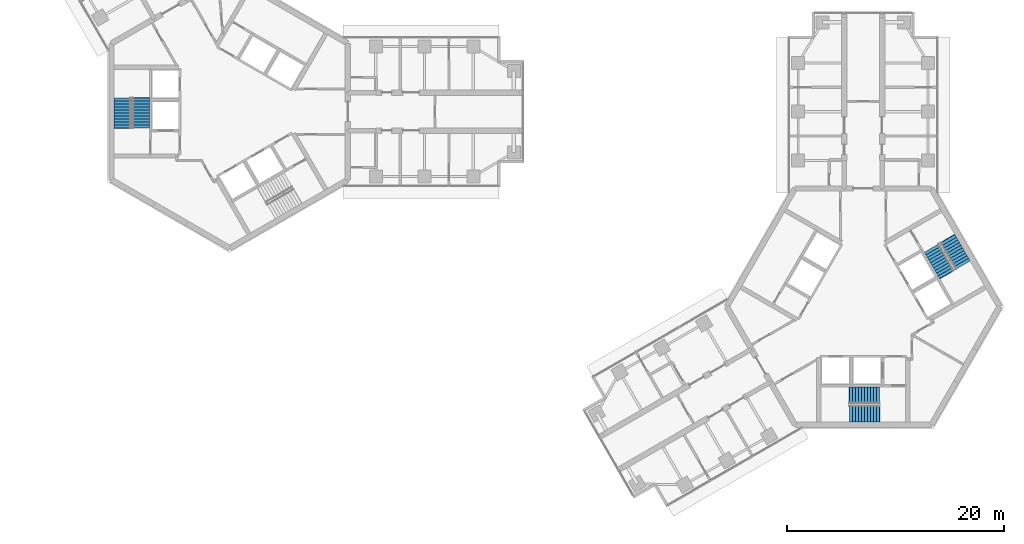
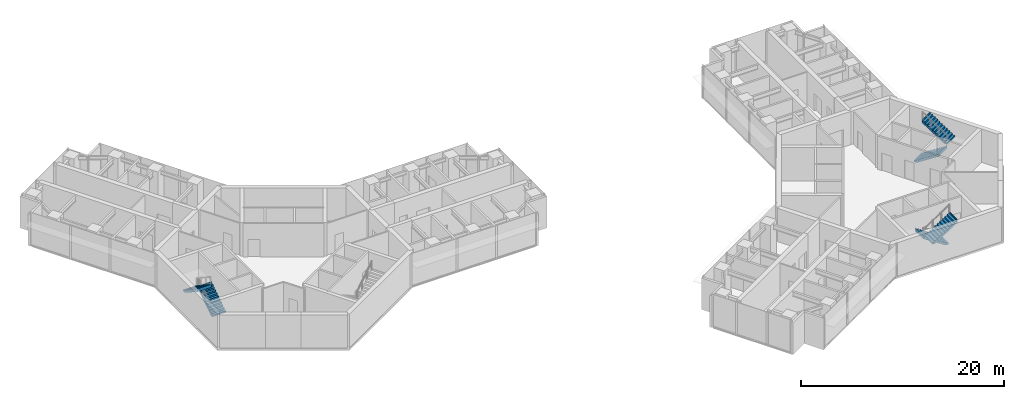
# One storey, part 16 of 17: 6 stair flights, 3 elements without a shape of their own.
"""IFC4 building model written with IfcOpenShell, lengths in metres."""

from ifc_helpers import new_model, si_unit, direction, frame, origin, place, context, subcontext, project, spatial, polyline, outline, extrude, material, type_object, element, aggregate, save


model = new_model("IFC4")

# Units and contexts
model_context = context("Model", 3, precision=1e-05, world=origin(), true_north=direction((0.0, 1.0)))
body_context = subcontext(model_context, "Body", "Model", "MODEL_VIEW")
ifc_project = project(units=[si_unit("LENGTHUNIT", "METRE"), si_unit("AREAUNIT", "SQUARE_METRE"), si_unit("VOLUMEUNIT", "CUBIC_METRE"), si_unit("PLANEANGLEUNIT", "RADIAN"), si_unit("MASSUNIT", "GRAM", prefix="KILO")], contexts=[model_context])

# Site, building, storey
site_placement = place(None, origin())
site = spatial("IfcSite", under=ifc_project, at=site_placement, CompositionType="ELEMENT")
building_placement = place(site_placement, origin())
building = spatial("IfcBuilding", under=site, at=building_placement, Name="Upepo Twin Towers", CompositionType="ELEMENT")
storey_placement = place(building_placement, frame((0.0, 0.0, 186.5)))
storey = spatial("IfcBuildingStorey", under=building, at=storey_placement, Name="L45", CompositionType="ELEMENT", Elevation=186.5)

# Stair, stair flights
ifc_material_1 = material(Name="Concrete C40/50", Category="concrete")
stair_type = type_object("IfcStairType", Name="Core stair, two flights", PredefinedType="HALF_TURN_STAIR", material=ifc_material_1)
stair_1_placement = place(storey_placement, origin())
stair_1 = element("IfcStair", 1, at=stair_1_placement, inside=storey, type_object=stair_type, Name="T1 stair S1 L45", PredefinedType="HALF_TURN_STAIR")
ifc_material_2 = material(Name="Concrete C40/50", Category="concrete")
stair_flight_type = type_object("IfcStairFlightType", Name="Stair flight 1550 RC", PredefinedType="STRAIGHT", material=ifc_material_2)
stair_flight_1_placement = place(storey_placement, frame((-8.175048828125, -1.52001953125, 0.0), z_axis=(0.0, 0.0, 1.0), x_axis=(0.0, 1.0, 0.0)))
stair_flight_1 = element("IfcStairFlight", 2, at=stair_flight_1_placement, type_object=stair_flight_type, Name="Stair S1 flight 1", NumberOfRisers=11, NumberOfTreads=10, PredefinedType="STRAIGHT", RiserHeight=0.181818182, TreadLength=0.28, context=body_context, shape_type="SweptSolid", body=[
    extrude(outline(polyline([(0.0, 0.0), (0.0, 0.181884765625), (0.280029296875, 0.181884765625), (0.280029296875, 0.363525390625), (0.56005859375, 0.363525390625), (0.56005859375, 0.54541015625), (0.840087890625, 0.54541015625), (0.840087890625, 0.727294921875), (1.1201171875, 0.727294921875), (1.1201171875, 0.9091796875), (1.39990234375, 0.9091796875), (1.39990234375, 1.0908203125), (1.679931640625, 1.0908203125), (1.679931640625, 1.272705078125), (1.9599609375, 1.272705078125), (1.9599609375, 1.45458984375), (2.239990234375, 1.45458984375), (2.239990234375, 1.636474609375), (2.52001953125, 1.636474609375), (2.52001953125, 1.818115234375), (2.800048828125, 1.818115234375), (2.800048828125, 2.0), (2.85009765625, 2.0), (2.85009765625, 1.639404296875), (0.3251953125, 0.0), (0.0, 0.0)])), frame((0.0, 0.77490234375, 0.0), z_axis=(0.0, -1.0, 0.0), x_axis=(1.0, 0.0, 0.0)), (0.0, 0.0, 1.0), 1.550048828125),
])
stair_flight_2_placement = place(storey_placement, frame((-9.88330078125, 1.280029296875, 2.0), z_axis=(0.0, 0.0, 1.0), x_axis=(0.0, -1.0, 0.0)))
stair_flight_2 = element("IfcStairFlight", 3, at=stair_flight_2_placement, type_object=stair_flight_type, Name="Stair S1 flight 2", NumberOfRisers=11, NumberOfTreads=10, PredefinedType="STRAIGHT", RiserHeight=0.181818182, TreadLength=0.28, context=body_context, shape_type="SweptSolid", body=[
    extrude(outline(polyline([(0.0, 0.0), (0.0, 0.181884765625), (0.280029296875, 0.181884765625), (0.280029296875, 0.363525390625), (0.56005859375, 0.363525390625), (0.56005859375, 0.54541015625), (0.840087890625, 0.54541015625), (0.840087890625, 0.727294921875), (1.1201171875, 0.727294921875), (1.1201171875, 0.9091796875), (1.39990234375, 0.9091796875), (1.39990234375, 1.0908203125), (1.679931640625, 1.0908203125), (1.679931640625, 1.272705078125), (1.9599609375, 1.272705078125), (1.9599609375, 1.45458984375), (2.239990234375, 1.45458984375), (2.239990234375, 1.636474609375), (2.52001953125, 1.636474609375), (2.52001953125, 1.818115234375), (2.800048828125, 1.818115234375), (2.800048828125, 2.0), (2.85009765625, 2.0), (2.85009765625, 1.639404296875), (0.3251953125, 0.0), (0.0, 0.0)])), frame((0.0, 0.77490234375, 0.0), z_axis=(0.0, -1.0, 0.0), x_axis=(1.0, 0.0, 0.0)), (0.0, 0.0, 1.0), 1.550048828125),
])
aggregate(stair_1, [stair_flight_1, stair_flight_2])

stair_2_placement = place(storey_placement, origin())
stair_2 = element("IfcStair", 4, at=stair_2_placement, inside=storey, type_object=stair_type, Name="T2 stair S1 L45", PredefinedType="HALF_TURN_STAIR")
stair_flight_3_placement = place(storey_placement, frame((60.02001953125, -26.175048828125, 0.0), z_axis=(0.0, 0.0, 1.0), x_axis=(-1.0, 0.0, 0.0)))
stair_flight_3 = element("IfcStairFlight", 5, at=stair_flight_3_placement, type_object=stair_flight_type, Name="Stair S1 flight 1", NumberOfRisers=11, NumberOfTreads=10, PredefinedType="STRAIGHT", RiserHeight=0.181818182, TreadLength=0.28, context=body_context, shape_type="SweptSolid", body=[
    extrude(outline(polyline([(0.0, 0.0), (0.0, 0.181884765625), (0.280029296875, 0.181884765625), (0.280029296875, 0.363525390625), (0.56005859375, 0.363525390625), (0.56005859375, 0.54541015625), (0.840087890625, 0.54541015625), (0.840087890625, 0.727294921875), (1.1201171875, 0.727294921875), (1.1201171875, 0.9091796875), (1.39990234375, 0.9091796875), (1.39990234375, 1.0908203125), (1.679931640625, 1.0908203125), (1.679931640625, 1.272705078125), (1.9599609375, 1.272705078125), (1.9599609375, 1.45458984375), (2.239990234375, 1.45458984375), (2.239990234375, 1.636474609375), (2.52001953125, 1.636474609375), (2.52001953125, 1.818115234375), (2.800048828125, 1.818115234375), (2.800048828125, 2.0), (2.85009765625, 2.0), (2.85009765625, 1.639404296875), (0.3251953125, 0.0), (0.0, 0.0)])), frame((0.0, 0.77490234375, 0.0), z_axis=(0.0, -1.0, 0.0), x_axis=(1.0, 0.0, 0.0)), (0.0, 0.0, 1.0), 1.550048828125),
])
stair_flight_4_placement = place(storey_placement, frame((57.219970703125, -27.88330078125, 2.0), z_axis=(0.0, 0.0, 1.0), x_axis=(1.0, 0.0, 0.0)))
stair_flight_4 = element("IfcStairFlight", 6, at=stair_flight_4_placement, type_object=stair_flight_type, Name="Stair S1 flight 2", NumberOfRisers=11, NumberOfTreads=10, PredefinedType="STRAIGHT", RiserHeight=0.181818182, TreadLength=0.28, context=body_context, shape_type="SweptSolid", body=[
    extrude(outline(polyline([(0.0, 0.0), (0.0, 0.181884765625), (0.280029296875, 0.181884765625), (0.280029296875, 0.363525390625), (0.56005859375, 0.363525390625), (0.56005859375, 0.54541015625), (0.840087890625, 0.54541015625), (0.840087890625, 0.727294921875), (1.1201171875, 0.727294921875), (1.1201171875, 0.9091796875), (1.39990234375, 0.9091796875), (1.39990234375, 1.0908203125), (1.679931640625, 1.0908203125), (1.679931640625, 1.272705078125), (1.9599609375, 1.272705078125), (1.9599609375, 1.45458984375), (2.239990234375, 1.45458984375), (2.239990234375, 1.636474609375), (2.52001953125, 1.636474609375), (2.52001953125, 1.818115234375), (2.800048828125, 1.818115234375), (2.800048828125, 2.0), (2.85009765625, 2.0), (2.85009765625, 1.639404296875), (0.3251953125, 0.0), (0.0, 0.0)])), frame((0.0, 0.77490234375, 0.0), z_axis=(0.0, -1.0, 0.0), x_axis=(1.0, 0.0, 0.0)), (0.0, 0.0, 1.0), 1.550048828125),
])
aggregate(stair_2, [stair_flight_3, stair_flight_4])

stair_3_placement = place(storey_placement, origin())
stair_3 = element("IfcStair", 7, at=stair_3_placement, inside=storey, type_object=stair_type, Name="T2 stair S2 L45", PredefinedType="HALF_TURN_STAIR")
stair_flight_5_placement = place(storey_placement, frame((64.81982421875, -12.59619140625, 0.0), z_axis=(0.0, 0.0, 1.0), x_axis=(0.5, -0.866025403784, 0.0)))
stair_flight_5 = element("IfcStairFlight", 8, at=stair_flight_5_placement, type_object=stair_flight_type, Name="Stair S2 flight 1", NumberOfRisers=11, NumberOfTreads=10, PredefinedType="STRAIGHT", RiserHeight=0.181818182, TreadLength=0.28, context=body_context, shape_type="SweptSolid", body=[
    extrude(outline(polyline([(0.0, 0.0), (0.0, 0.181884765625), (0.280029296875, 0.181884765625), (0.280029296875, 0.363525390625), (0.56005859375, 0.363525390625), (0.56005859375, 0.54541015625), (0.840087890625, 0.54541015625), (0.840087890625, 0.727294921875), (1.1201171875, 0.727294921875), (1.1201171875, 0.9091796875), (1.39990234375, 0.9091796875), (1.39990234375, 1.0908203125), (1.679931640625, 1.0908203125), (1.679931640625, 1.272705078125), (1.9599609375, 1.272705078125), (1.9599609375, 1.45458984375), (2.239990234375, 1.45458984375), (2.239990234375, 1.636474609375), (2.52001953125, 1.636474609375), (2.52001953125, 1.818115234375), (2.800048828125, 1.818115234375), (2.800048828125, 2.0), (2.85009765625, 2.0), (2.85009765625, 1.639404296875), (0.3251953125, 0.0), (0.0, 0.0)])), frame((0.0, 0.77490234375, 0.0), z_axis=(0.0, -1.0, 0.0), x_axis=(1.0, 0.0, 0.0)), (0.0, 0.0, 1.0), 1.550048828125),
])
stair_flight_6_placement = place(storey_placement, frame((67.69921875, -14.166748046875, 2.0), z_axis=(0.0, 0.0, 1.0), x_axis=(-0.5, 0.866025403784, 0.0)))
stair_flight_6 = element("IfcStairFlight", 9, at=stair_flight_6_placement, type_object=stair_flight_type, Name="Stair S2 flight 2", NumberOfRisers=11, NumberOfTreads=10, PredefinedType="STRAIGHT", RiserHeight=0.181818182, TreadLength=0.28, context=body_context, shape_type="SweptSolid", body=[
    extrude(outline(polyline([(0.0, 0.0), (0.0, 0.181884765625), (0.280029296875, 0.181884765625), (0.280029296875, 0.363525390625), (0.56005859375, 0.363525390625), (0.56005859375, 0.54541015625), (0.840087890625, 0.54541015625), (0.840087890625, 0.727294921875), (1.1201171875, 0.727294921875), (1.1201171875, 0.9091796875), (1.39990234375, 0.9091796875), (1.39990234375, 1.0908203125), (1.679931640625, 1.0908203125), (1.679931640625, 1.272705078125), (1.9599609375, 1.272705078125), (1.9599609375, 1.45458984375), (2.239990234375, 1.45458984375), (2.239990234375, 1.636474609375), (2.52001953125, 1.636474609375), (2.52001953125, 1.818115234375), (2.800048828125, 1.818115234375), (2.800048828125, 2.0), (2.85009765625, 2.0), (2.85009765625, 1.639404296875), (0.3251953125, 0.0), (0.0, 0.0)])), frame((0.0, 0.77490234375, 0.0), z_axis=(0.0, -1.0, 0.0), x_axis=(1.0, 0.0, 0.0)), (0.0, 0.0, 1.0), 1.550048828125),
])
aggregate(stair_3, [stair_flight_5, stair_flight_6])

save(model, "model.ifc")
